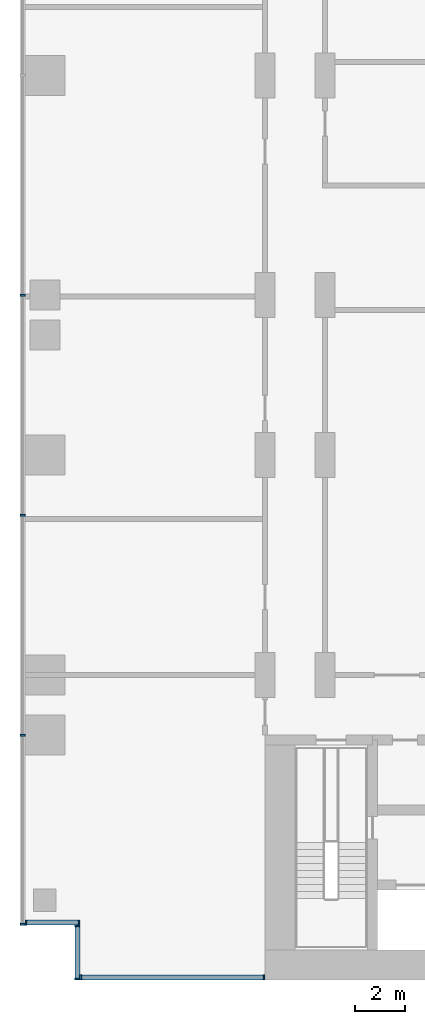
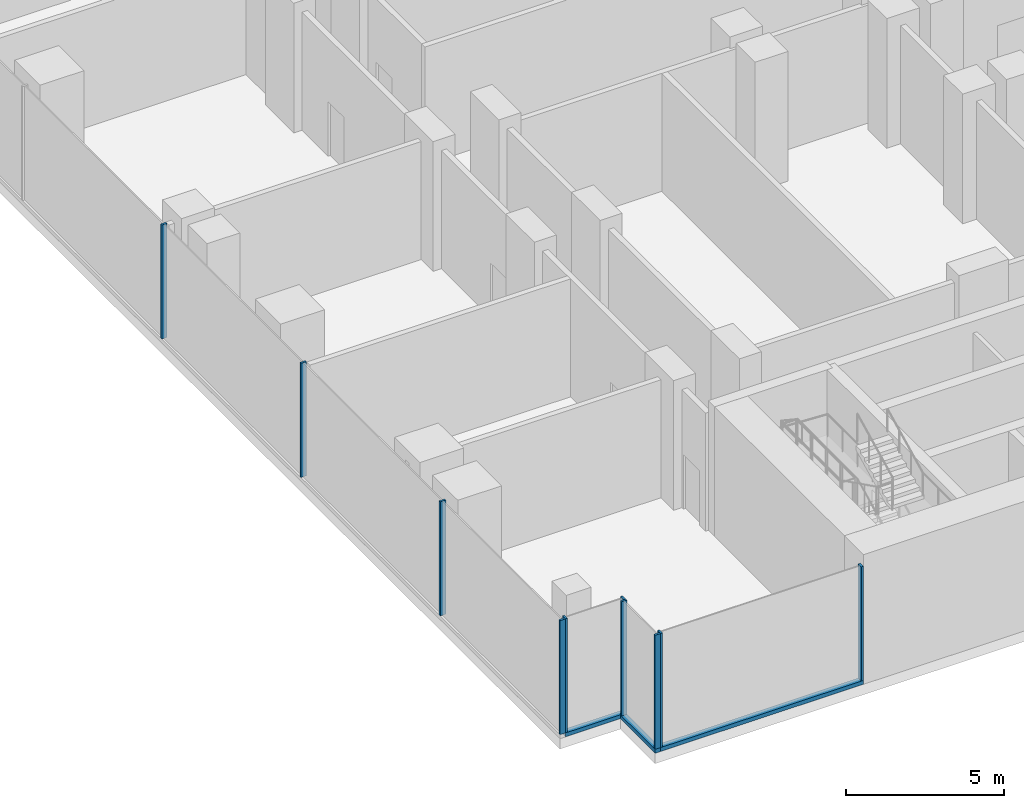
# One storey, part 2 of 27: 13 members, 4 elements without a shape of their own.
"""IFC4 building model written with IfcOpenShell, lengths in metres."""

from ifc_helpers import new_model, si_unit, direction, frame, origin, origin_2d, place, context, subcontext, project, spatial, rectangle, extrude, source, transform, mapped, material, material_profile, profile_set, type_object, element, aggregate, save


model = new_model("IFC4")

# Units and contexts
model_context = context("Model", 3, precision=1e-05, world=origin(), true_north=direction((0.0, 1.0)))
body_context = subcontext(model_context, "Body", "Model", "MODEL_VIEW")
ifc_project = project(units=[si_unit("LENGTHUNIT", "METRE"), si_unit("AREAUNIT", "SQUARE_METRE"), si_unit("VOLUMEUNIT", "CUBIC_METRE"), si_unit("PLANEANGLEUNIT", "RADIAN"), si_unit("MASSUNIT", "GRAM", prefix="KILO")], contexts=[model_context])

# Site, building, storey
site_placement = place(None, origin())
site = spatial("IfcSite", under=ifc_project, at=site_placement, CompositionType="ELEMENT")
building_placement = place(site_placement, origin())
building = spatial("IfcBuilding", under=site, at=building_placement, Name="Kemantara Hotel Tower", CompositionType="ELEMENT")
storey_placement = place(building_placement, frame((0.0, 0.0, 29.0)))
storey = spatial("IfcBuildingStorey", under=building, at=storey_placement, Name="L05", CompositionType="ELEMENT", Elevation=29.0)

# Curtain wall, member
ifc_material_1 = material(Name="Laminated tinted insulated glass 44 mm", Category="glass")
curtain_wall_type = type_object("IfcCurtainWallType", Name="PODIUM GLASS CURTAIN WALL", PredefinedType="USERDEFINED", material=ifc_material_1)
curtain_wall_1_placement = place(storey_placement, origin())
curtain_wall_1 = element("IfcCurtainWall", 1, at=curtain_wall_1_placement, inside=storey, type_object=curtain_wall_type, Name="CW1 L05 POD-R01-1", ObjectType="PODIUM GLASS CURTAIN WALL", PredefinedType="USERDEFINED")
ifc_material_2 = material(Name="Aluminium 6063-T6 bronze anodised", Category="aluminium")
ifc_material_profile_1 = material_profile(ifc_material_2, rectangle(XDim=0.199951171875, YDim=0.14990234375, at=origin_2d()), Name="PODIUM GLASS CURTAIN WALL TRANSOM")
ifc_profile_set_1 = profile_set([ifc_material_profile_1], Name="Aluminium 6063-T6 bronze anodised")
member_type_1 = type_object("IfcMemberType", Name="PODIUM GLASS CURTAIN WALL TRANSOM", PredefinedType="USERDEFINED", material=ifc_profile_set_1)
member_1_placement = place(storey_placement, frame((2.39990234375, 0.10009765625, 0.074951171875), z_axis=(1.0, 0.0, 0.0), x_axis=(0.0, 1.0, 0.0)))
member_1 = element("IfcMember", 2, at=member_1_placement, type_object=member_type_1, Name="CW1 sill transom POD-R01-1", ObjectType="TRANSOM", PredefinedType="USERDEFINED", context=body_context, shape_type="SweptSolid", body=[
    extrude(rectangle(XDim=0.199951171875, YDim=0.14990234375, at=origin_2d()), origin(), (0.0, 0.0, 1.0), 7.400146484375),
])

curtain_wall_2_placement = place(storey_placement, origin())
curtain_wall_2 = element("IfcCurtainWall", 3, at=curtain_wall_2_placement, inside=storey, type_object=curtain_wall_type, Name="CW1 L05 POD-R00-1", ObjectType="PODIUM GLASS CURTAIN WALL", PredefinedType="USERDEFINED")
member_2_placement = place(storey_placement, frame((2.300048828125, 2.199951171875, 0.074951171875), z_axis=(0.0, -1.0, 0.0), x_axis=(1.0, 0.0, 0.0)))
member_2 = element("IfcMember", 4, at=member_2_placement, type_object=member_type_1, Name="CW1 sill transom POD-R00-1", ObjectType="TRANSOM", PredefinedType="USERDEFINED", context=body_context, shape_type="SweptSolid", body=[
    extrude(rectangle(XDim=0.199951171875, YDim=0.14990234375, at=origin_2d()), origin(), (0.0, 0.0, 1.0), 2.199951171875),
])

curtain_wall_3_placement = place(storey_placement, origin())
curtain_wall_3 = element("IfcCurtainWall", 5, at=curtain_wall_3_placement, inside=storey, type_object=curtain_wall_type, Name="CW1 L05 POD-R17-1", ObjectType="PODIUM GLASS CURTAIN WALL", PredefinedType="USERDEFINED")
member_3_placement = place(storey_placement, frame((0.199951171875, 2.300048828125, 0.074951171875), z_axis=(1.0, 0.0, 0.0), x_axis=(0.0, 1.0, 0.0)))
member_3 = element("IfcMember", 6, at=member_3_placement, type_object=member_type_1, Name="CW1 sill transom POD-R17-1", ObjectType="TRANSOM", PredefinedType="USERDEFINED", context=body_context, shape_type="SweptSolid", body=[
    extrude(rectangle(XDim=0.199951171875, YDim=0.14990234375, at=origin_2d()), origin(), (0.0, 0.0, 1.0), 2.199951171875),
])

# Member
ifc_material_profile_2 = material_profile(ifc_material_2, rectangle(XDim=0.199951171875, YDim=0.074951171875, at=origin_2d()), Name="PODIUM GLASS CURTAIN WALL MULLION")
ifc_profile_set_2 = profile_set([ifc_material_profile_2], Name="Aluminium 6063-T6 bronze anodised")
member_type_2 = type_object("IfcMemberType", Name="PODIUM GLASS CURTAIN WALL MULLION", PredefinedType="MULLION", material=ifc_profile_set_2)
shared_shape = source(origin(), body_context, "Body", "SweptSolid", [
    extrude(rectangle(XDim=0.199951171875, YDim=0.074951171875, at=origin_2d()), origin(), (0.0, 0.0, 1.0), 4.400146484375),
])
member_4_placement = place(storey_placement, frame((2.4375, 0.10009765625, 0.14990234375), z_axis=(0.0, 0.0, 1.0), x_axis=(0.0, 1.0, 0.0)))
member_4 = element("IfcMember", 7, at=member_4_placement, type_object=member_type_2, Name="CW1 mullion POD-R01-1.1", PredefinedType="MULLION", context=body_context, shape_type="MappedRepresentation", body=[
    mapped(shared_shape, transform((0.0, 0.0, 0.0))),
])

member_5_placement = place(storey_placement, frame((9.762451171875, 0.10009765625, 0.14990234375), z_axis=(0.0, 0.0, 1.0), x_axis=(0.0, 1.0, 0.0)))
member_5 = element("IfcMember", 8, at=member_5_placement, type_object=member_type_2, Name="CW1 mullion POD-R01-1.2", PredefinedType="MULLION", context=body_context, shape_type="MappedRepresentation", body=[
    mapped(shared_shape, transform((0.0, 0.0, 0.0))),
])

aggregate(curtain_wall_1, [member_1, member_4, member_5])

# Curtain wall, members
curtain_wall_4_placement = place(storey_placement, origin())
curtain_wall_4 = element("IfcCurtainWall", 9, at=curtain_wall_4_placement, inside=storey, type_object=curtain_wall_type, Name="CW1 L05 POD-R16-1", ObjectType="PODIUM GLASS CURTAIN WALL", PredefinedType="USERDEFINED")
member_6_placement = place(storey_placement, frame((0.10009765625, 27.39990234375, 0.14990234375), z_axis=(0.0, 0.0, 1.0), x_axis=(1.0, 0.0, 0.0)))
member_6 = element("IfcMember", 10, at=member_6_placement, type_object=member_type_2, Name="CW1 mullion POD-R16-1.7", PredefinedType="MULLION", context=body_context, shape_type="MappedRepresentation", body=[
    mapped(shared_shape, transform((0.0, 0.0, 0.0))),
])
member_7_placement = place(storey_placement, frame((0.10009765625, 18.60009765625, 0.14990234375), z_axis=(0.0, 0.0, 1.0), x_axis=(1.0, 0.0, 0.0)))
member_7 = element("IfcMember", 11, at=member_7_placement, type_object=member_type_2, Name="CW1 mullion POD-R16-1.8", PredefinedType="MULLION", context=body_context, shape_type="MappedRepresentation", body=[
    mapped(shared_shape, transform((0.0, 0.0, 0.0))),
])
member_8_placement = place(storey_placement, frame((0.10009765625, 9.800048828125, 0.14990234375), z_axis=(0.0, 0.0, 1.0), x_axis=(1.0, 0.0, 0.0)))
member_8 = element("IfcMember", 12, at=member_8_placement, type_object=member_type_2, Name="CW1 mullion POD-R16-1.9", PredefinedType="MULLION", context=body_context, shape_type="MappedRepresentation", body=[
    mapped(shared_shape, transform((0.0, 0.0, 0.0))),
])
member_9_placement = place(storey_placement, frame((0.10009765625, 2.237548828125, 0.14990234375), z_axis=(0.0, 0.0, 1.0), x_axis=(1.0, 0.0, 0.0)))
member_9 = element("IfcMember", 13, at=member_9_placement, type_object=member_type_2, Name="CW1 mullion POD-R16-1.10", PredefinedType="MULLION", context=body_context, shape_type="MappedRepresentation", body=[
    mapped(shared_shape, transform((0.0, 0.0, 0.0))),
])
aggregate(curtain_wall_4, [member_6, member_7, member_8, member_9])

# Member
member_10_placement = place(storey_placement, frame((2.300048828125, 2.16259765625, 0.14990234375), z_axis=(0.0, 0.0, 1.0), x_axis=(1.0, 0.0, 0.0)))
member_10 = element("IfcMember", 14, at=member_10_placement, type_object=member_type_2, Name="CW1 mullion POD-R00-1.1", PredefinedType="MULLION", context=body_context, shape_type="MappedRepresentation", body=[
    mapped(shared_shape, transform((0.0, 0.0, 0.0))),
])

member_11_placement = place(storey_placement, frame((2.300048828125, 0.03759765625, 0.14990234375), z_axis=(0.0, 0.0, 1.0), x_axis=(1.0, 0.0, 0.0)))
member_11 = element("IfcMember", 15, at=member_11_placement, type_object=member_type_2, Name="CW1 mullion POD-R00-1.2", PredefinedType="MULLION", context=body_context, shape_type="MappedRepresentation", body=[
    mapped(shared_shape, transform((0.0, 0.0, 0.0))),
])

aggregate(curtain_wall_2, [member_2, member_10, member_11])

member_12_placement = place(storey_placement, frame((0.237548828125, 2.300048828125, 0.14990234375), z_axis=(0.0, 0.0, 1.0), x_axis=(0.0, 1.0, 0.0)))
member_12 = element("IfcMember", 16, at=member_12_placement, type_object=member_type_2, Name="CW1 mullion POD-R17-1.1", PredefinedType="MULLION", context=body_context, shape_type="MappedRepresentation", body=[
    mapped(shared_shape, transform((0.0, 0.0, 0.0))),
])

member_13_placement = place(storey_placement, frame((2.362548828125, 2.300048828125, 0.14990234375), z_axis=(0.0, 0.0, 1.0), x_axis=(0.0, 1.0, 0.0)))
member_13 = element("IfcMember", 17, at=member_13_placement, type_object=member_type_2, Name="CW1 mullion POD-R17-1.2", PredefinedType="MULLION", context=body_context, shape_type="MappedRepresentation", body=[
    mapped(shared_shape, transform((0.0, 0.0, 0.0))),
])

aggregate(curtain_wall_3, [member_3, member_12, member_13])

save(model, "model.ifc")
